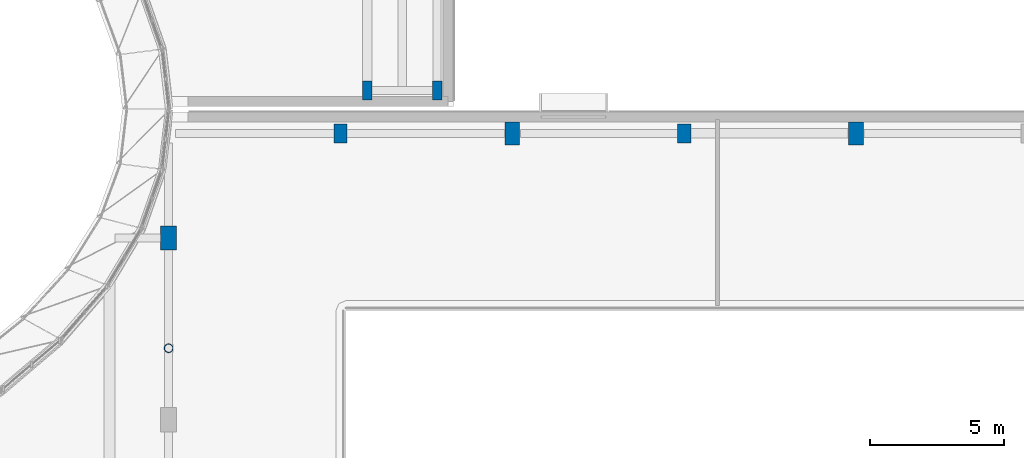
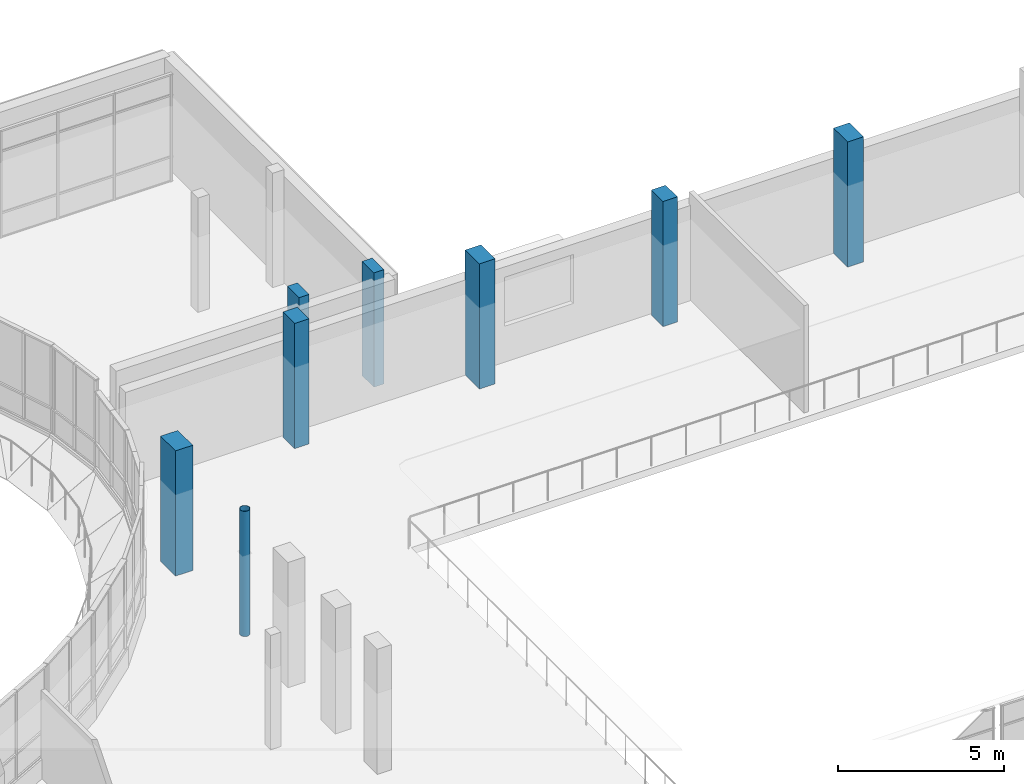
# One storey, part 4 of 73: 8 columns.
"""IFC4 building model written with IfcOpenShell, lengths in metres."""

from ifc_helpers import new_model, si_unit, direction, frame, origin, origin_2d, place, context, subcontext, project, spatial, rectangle, hollow_circle, extrude, material, material_profile, profile_set, type_object, element, save


model = new_model("IFC4")

# Units and contexts
model_context = context("Model", 3, precision=1e-05, world=origin(), true_north=direction((0.0, 1.0)))
body_context = subcontext(model_context, "Body", "Model", "MODEL_VIEW")
ifc_project = project(units=[si_unit("LENGTHUNIT", "METRE"), si_unit("AREAUNIT", "SQUARE_METRE"), si_unit("VOLUMEUNIT", "CUBIC_METRE"), si_unit("PLANEANGLEUNIT", "RADIAN"), si_unit("MASSUNIT", "GRAM", prefix="KILO")], contexts=[model_context])

# Site, building, storey
site_placement = place(None, origin())
site = spatial("IfcSite", under=ifc_project, at=site_placement, CompositionType="ELEMENT")
building_placement = place(site_placement, origin())
building = spatial("IfcBuilding", under=site, at=building_placement, Name="Mzevani Central Library", CompositionType="ELEMENT")
storey_placement = place(building_placement, frame((0.0, 0.0, 9.60009765625)))
storey = spatial("IfcBuildingStorey", under=building, at=storey_placement, Name="L02", CompositionType="ELEMENT", Elevation=9.60009765625)

# Columns
ifc_material_1 = material(Name="Concrete C40/50", Category="concrete")
ifc_material_profile_1 = material_profile(ifc_material_1, rectangle(XDim=0.5, YDim=0.699951171875, at=origin_2d()), Name="RC 500x700")
ifc_profile_set_1 = profile_set([ifc_material_profile_1], Name="Concrete C40/50")
column_type_1 = type_object("IfcColumnType", Name="Column RC 500x700", PredefinedType="COLUMN", material=ifc_profile_set_1)
for number, where, z_axis, x_axis, name in (
    (1, (120.60009765625, 75.10009765625, 0.0), (0.0, 0.0, 1.0), (1.0, 0.0, 0.0), "L02 V1 Column C-14 (39)"),
    (2, (133.39990234375, 75.10009765625, 0.0), (0.0, 0.0, 1.0), (1.0, 0.0, 0.0), "L02 V1 Column C-14 (43)"),
):
    element("IfcColumn", number, at=place(storey_placement, frame(where, z_axis=z_axis, x_axis=x_axis)), inside=storey, type_object=column_type_1, Name=name, PredefinedType="COLUMN", context=body_context, shape_type="SweptSolid", body=[
        extrude(rectangle(XDim=0.5, YDim=0.699951171875, at=origin_2d()), origin(), (0.0, 0.0, 1.0), 4.599853515625),
    ])
ifc_material_profile_2 = material_profile(ifc_material_1, rectangle(XDim=0.550048828125, YDim=0.85009765625, at=origin_2d()), Name="RC 550x850")
ifc_profile_set_2 = profile_set([ifc_material_profile_2], Name="Concrete C40/50")
column_type_2 = type_object("IfcColumnType", Name="Column RC 550x850", PredefinedType="COLUMN", material=ifc_profile_set_2)
for number, where, z_axis, x_axis, name in (
    (3, (127.0, 75.10009765625, 0.0), (0.0, 0.0, 1.0), (1.0, 0.0, 0.0), "L02 V1 Column C-16 (41)"),
    (4, (139.800048828125, 75.10009765625, 0.0), (0.0, 0.0, 1.0), (1.0, 0.0, 0.0), "L02 V1 Column C-16 (45)"),
):
    element("IfcColumn", number, at=place(storey_placement, frame(where, z_axis=z_axis, x_axis=x_axis)), inside=storey, type_object=column_type_2, Name=name, PredefinedType="COLUMN", context=body_context, shape_type="SweptSolid", body=[
        extrude(rectangle(XDim=0.550048828125, YDim=0.85009765625, at=origin_2d()), origin(), (0.0, 0.0, 1.0), 4.599853515625),
    ])
ifc_material_profile_3 = material_profile(ifc_material_1, rectangle(XDim=0.60009765625, YDim=0.89990234375, at=origin_2d()), Name="RC 600x900")
ifc_profile_set_3 = profile_set([ifc_material_profile_3], Name="Concrete C40/50")
column_type_3 = type_object("IfcColumnType", Name="Column RC 600x900", PredefinedType="COLUMN", material=ifc_profile_set_3)
column_1_placement = place(storey_placement, frame((114.199951171875, 71.199951171875, 0.0), z_axis=(0.0, 0.0, 1.0), x_axis=(1.0, 0.0, 0.0)))
element("IfcColumn", 5, at=column_1_placement, inside=storey, type_object=column_type_3, Name="L02 V1 Column C-17 (30)", PredefinedType="COLUMN", context=body_context, shape_type="SweptSolid", body=[
    extrude(rectangle(XDim=0.60009765625, YDim=0.89990234375, at=origin_2d()), origin(), (0.0, 0.0, 1.0), 4.599853515625),
])
ifc_material_2 = material(Name="Steel S355J2", Category="steel")
ifc_material_profile_4 = material_profile(ifc_material_2, hollow_circle(Radius=0.161865234375, WallThickness=0.012451171875, at=origin_2d()), Name="CHS 323.9x12.5")
ifc_profile_set_4 = profile_set([ifc_material_profile_4], Name="Steel S355J2")
column_type_4 = type_object("IfcColumnType", Name="Feature Tubular Column CHS 323", PredefinedType="COLUMN", material=ifc_profile_set_4)
column_2_placement = place(storey_placement, frame((114.199951171875, 67.10009765625, 0.0), z_axis=(0.0, 0.0, 1.0), x_axis=(1.0, 0.0, 0.0)))
element("IfcColumn", 6, at=column_2_placement, inside=storey, type_object=column_type_4, Name="L02 Gridshell Ring Support Column 04", PredefinedType="COLUMN", context=body_context, shape_type="SweptSolid", body=[
    extrude(hollow_circle(Radius=0.161865234375, WallThickness=0.012451171875, at=origin_2d()), origin(), (0.0, 0.0, 1.0), 4.599853515625),
])
ifc_material_profile_5 = material_profile(ifc_material_1, rectangle(XDim=0.35009765625, YDim=0.699951171875, at=origin_2d()), Name="RC 350x700")
ifc_profile_set_5 = profile_set([ifc_material_profile_5], Name="Concrete C40/50")
column_type_5 = type_object("IfcColumnType", Name="Joint Twin Column RC 350x700", PredefinedType="COLUMN", material=ifc_profile_set_5)
for number, where, z_axis, x_axis, name in (
    (7, (121.60009765625, 76.699951171875, 0.0), (0.0, 0.0, 1.0), (1.0, 0.0, 0.0), "L02 V3 Column C-18 (140)"),
    (8, (124.199951171875, 76.699951171875, 0.0), (0.0, 0.0, 1.0), (1.0, 0.0, 0.0), "L02 V3 Column C-18 (146)"),
):
    element("IfcColumn", number, at=place(storey_placement, frame(where, z_axis=z_axis, x_axis=x_axis)), inside=storey, type_object=column_type_5, Name=name, PredefinedType="COLUMN", context=body_context, shape_type="SweptSolid", body=[
        extrude(rectangle(XDim=0.35009765625, YDim=0.699951171875, at=origin_2d()), origin(), (0.0, 0.0, 1.0), 4.199951171875),
    ])

save(model, "model.ifc")
